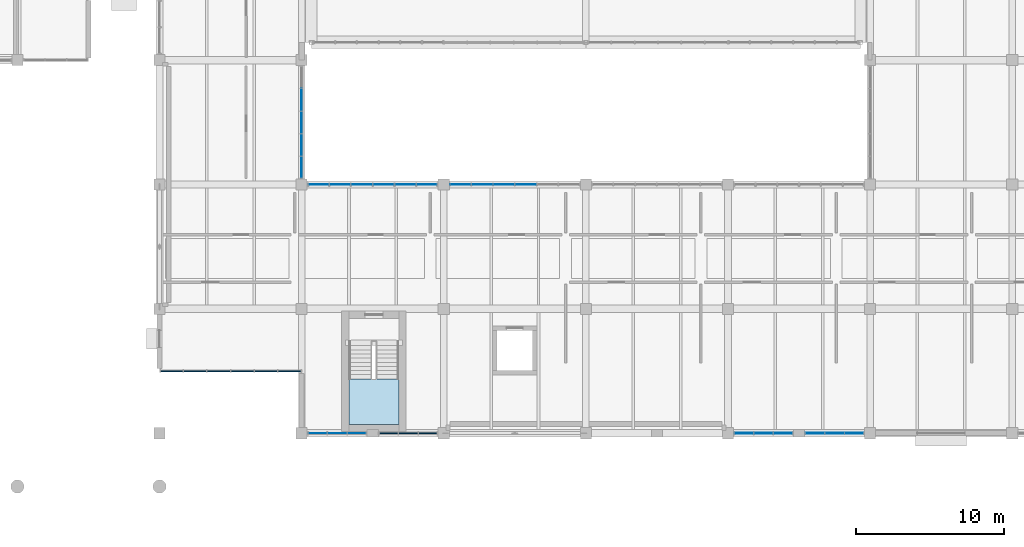
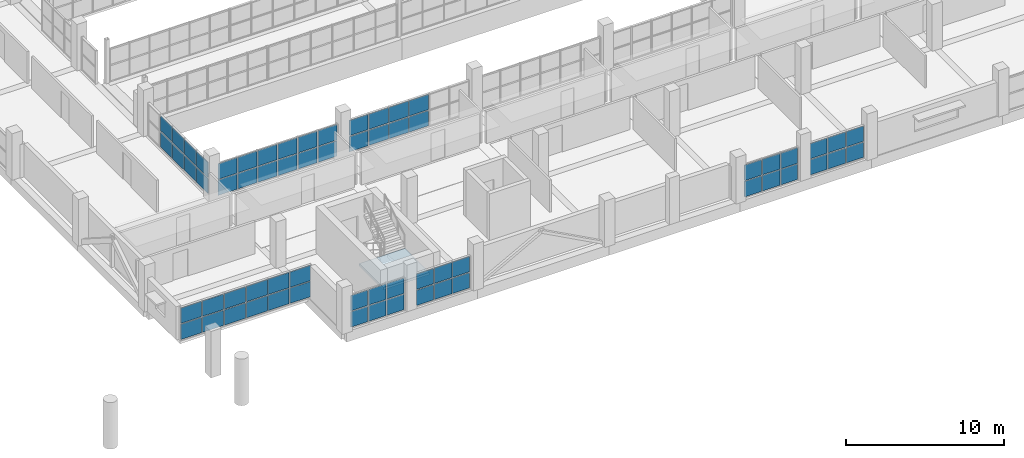
# One storey, part 98 of 147: 64 plates, 1 slab, 9 elements without a shape of their own.
"""IFC4 building model written with IfcOpenShell, lengths in metres."""

import ifcopenshell
import ifcopenshell.guid

model = None  # the IFC model being written
_history = None  # IfcOwnerHistory: only IFC2X3 demands one
_inside = {}  # id of a spatial element -> (the spatial element, [elements in it])
_under = {}  # id of a project, library or spatial element -> (it, [spatial elements below it])
_declared = {}  # id of a project -> (the project, [libraries it declares])
_typed = {}  # id of a type object -> (the type object, [elements of that type])
_made_of = {}  # id of a material, layer set ... -> (it, [elements and type objects made of it])


def new_model(schema):
    """Start an empty IFC model of exactly this schema.

    Asked for "IFC4X3", IfcOpenShell would pick the latest addendum, in which some entities
    have other attributes; the version numbers below select the first issue.
    IFC2X3 requires an IfcOwnerHistory on every rooted entity: one is made here for all.
    """
    global model, _history
    if schema == "IFC4X3":
        model = ifcopenshell.file(schema_version=(4, 3, 0, 0))
    else:
        model = ifcopenshell.file(schema=schema)
    _inside.clear()
    _under.clear()
    _declared.clear()
    _typed.clear()
    _made_of.clear()
    _history = None
    if model.schema == "IFC2X3":
        org = make("IfcOrganization", Name="unknown")
        user = make(
            "IfcPersonAndOrganization",
            ThePerson=make("IfcPerson", FamilyName="unknown"),
            TheOrganization=org,
        )
        app = make(
            "IfcApplication",
            ApplicationDeveloper=org,
            Version="unknown",
            ApplicationFullName="unknown",
            ApplicationIdentifier="unknown",
        )
        _history = make(
            "IfcOwnerHistory",
            OwningUser=user,
            OwningApplication=app,
            ChangeAction="ADDED",
            CreationDate=0,
        )
    return model


def make(cls, **values):
    """One entity of the class cls with the attributes given. An attribute that is None is left unset."""
    return model.create_entity(
        cls, **{name: value for name, value in values.items() if value is not None}
    )


def rooted(cls, **values):
    """An entity with a GlobalId (a new one), such as an element, a storey or a relation."""
    return make(cls, GlobalId=ifcopenshell.guid.new(), OwnerHistory=_history, **values)


def si_unit(unit_type, name, prefix=None):
    """IfcSIUnit, for example si_unit("LENGTHUNIT", "METRE", prefix="MILLI")."""
    return make("IfcSIUnit", UnitType=unit_type, Prefix=prefix, Name=name)


def assignment(units):
    """IfcUnitAssignment: the units of a project."""
    return None if units is None else make("IfcUnitAssignment", Units=units)


def point(xyz):
    """IfcCartesianPoint."""
    return None if xyz is None else make("IfcCartesianPoint", Coordinates=xyz)


def direction(xyz):
    """IfcDirection."""
    return None if xyz is None else make("IfcDirection", DirectionRatios=xyz)


def frame(location, z_axis=None, x_axis=None):
    """IfcAxis2Placement3D, a coordinate frame: its origin and axes. An axis left out is left unset."""
    return make(
        "IfcAxis2Placement3D",
        Location=point(location),
        Axis=direction(z_axis),
        RefDirection=direction(x_axis),
    )


def frame_2d(location, x_axis=None):
    """IfcAxis2Placement2D, a coordinate frame in the plane: its origin and x axis."""
    return make(
        "IfcAxis2Placement2D", Location=point(location), RefDirection=direction(x_axis)
    )


def origin():
    """The frame at (0, 0, 0) with its axes left unset."""
    return frame((0.0, 0.0, 0.0))


def origin_2d():
    """The frame at (0, 0) in the plane with its x axis left unset."""
    return frame_2d((0.0, 0.0))


def place(relative_to, where):
    """IfcLocalPlacement: puts the frame where relative to a parent placement (None: the world)."""
    return make(
        "IfcLocalPlacement", PlacementRelTo=relative_to, RelativePlacement=where
    )


def context(
    kind, dimensions, precision=None, world=None, true_north=None, identifier=None
):
    """IfcGeometricRepresentationContext, for example the 3D "Model" context."""
    return make(
        "IfcGeometricRepresentationContext",
        ContextIdentifier=identifier,
        ContextType=kind,
        CoordinateSpaceDimension=dimensions,
        Precision=precision,
        WorldCoordinateSystem=world,
        TrueNorth=true_north,
    )


def subcontext(parent, identifier, kind, view, scale=None):
    """IfcGeometricRepresentationSubContext, for example "Body" below "Model"."""
    return make(
        "IfcGeometricRepresentationSubContext",
        ContextIdentifier=identifier,
        ContextType=kind,
        ParentContext=parent,
        TargetScale=scale,
        TargetView=view,
    )


def project(units=None, contexts=None):
    """IfcProject with its units and contexts."""
    return rooted(
        "IfcProject",
        Name="project",
        RepresentationContexts=contexts,
        UnitsInContext=assignment(units),
    )


def spatial(cls, under=None, at=None, **own):
    """A site, building, storey or space (cls), placed at a placement, below another one or the project."""
    s = rooted(cls, ObjectPlacement=at, **own)
    if under is not None:
        _under.setdefault(under.id(), (under, []))[1].append(s)
    return s


def polyline(points):
    """IfcPolyline through the points."""
    return make("IfcPolyline", Points=[point(p) for p in points])


def profile(cls, at=None, kind="AREA", **sizes):
    """A parametric profile (cls). Its sizes go by their IFC names, for example OverallWidth=200.0."""
    return make(cls, ProfileType=kind, Position=at, **sizes)


def rectangle(**sizes):
    """IfcRectangleProfileDef."""
    return profile("IfcRectangleProfileDef", **sizes)


def outline(outer, holes=None, kind="AREA"):
    """IfcArbitraryClosedProfileDef: a profile drawn as a closed curve; with holes, ...WithVoids."""
    if holes is None:
        return make("IfcArbitraryClosedProfileDef", ProfileType=kind, OuterCurve=outer)
    return make(
        "IfcArbitraryProfileDefWithVoids",
        ProfileType=kind,
        OuterCurve=outer,
        InnerCurves=holes,
    )


def extrude(swept, where, along, depth):
    """IfcExtrudedAreaSolid: the profile swept, set in the frame where, extruded along a direction by depth."""
    return make(
        "IfcExtrudedAreaSolid",
        SweptArea=swept,
        Position=where,
        ExtrudedDirection=direction(along),
        Depth=depth,
    )


def shape(context_of_items, identifier, shape_type, items):
    """IfcShapeRepresentation: the items that make up one representation, for example the "Body"."""
    return make(
        "IfcShapeRepresentation",
        ContextOfItems=context_of_items,
        RepresentationIdentifier=identifier,
        RepresentationType=shape_type,
        Items=items,
    )


def material(Name=None, Category=None):
    """IfcMaterial."""
    return make("IfcMaterial", Name=Name, Category=Category)


def layer(
    of_material, thickness, ventilated=None, Name=None, Category=None, Priority=None
):
    """IfcMaterialLayer: one layer of a wall or slab, of a material (None: an air gap)."""
    return make(
        "IfcMaterialLayer",
        Material=of_material,
        LayerThickness=thickness,
        IsVentilated=ventilated,
        Name=Name,
        Category=Category,
        Priority=Priority,
    )


def layer_set(layers, Name=None):
    """IfcMaterialLayerSet."""
    return make("IfcMaterialLayerSet", MaterialLayers=layers, LayerSetName=Name)


def made_of(thing, what):
    """Note that an element or type object is made of a material, layer set ...; save() writes the relation."""
    if what is not None:
        _made_of.setdefault(what.id(), (what, []))[1].append(thing)
    return thing


def type_object(cls, material=None, **own):
    """A type object (cls), such as IfcWallType, which elements share."""
    return made_of(rooted(cls, **own), material)


def element(
    cls,
    number,
    at=None,
    inside=None,
    cuts=None,
    type_object=None,
    material=None,
    context=None,
    identifier="Body",
    shape_type=None,
    held_by="IfcProductDefinitionShape",
    body=None,
    shapes=None,
    **own,
):
    """One element of the class cls, such as IfcWall. Its Tag is "e" and its number.

    at: its placement. inside: the storey or other place that contains it. cuts: it is an
    opening in that element (IfcRelVoidsElement). A single representation is given by context,
    identifier, shape_type and body (its items); several are given by shapes. held_by: the class
    of the entity that holds the representations. save() writes the other relations.
    """
    e = rooted(cls, Tag="e%d" % number, ObjectPlacement=at, **own)
    if body is not None:
        shapes = [shape(context, identifier, shape_type, body)]
    if shapes is not None:
        e.Representation = make(held_by, Representations=shapes)
    if inside is not None:
        _inside.setdefault(inside.id(), (inside, []))[1].append(e)
    if cuts is not None:
        rooted(
            "IfcRelVoidsElement", RelatingBuildingElement=cuts, RelatedOpeningElement=e
        )
    if type_object is not None:
        _typed.setdefault(type_object.id(), (type_object, []))[1].append(e)
    return made_of(e, material)


def aggregate(whole, parts):
    """IfcRelAggregates: a whole, such as a stair, and the parts it consists of."""
    return rooted("IfcRelAggregates", RelatingObject=whole, RelatedObjects=parts)


def save(model, path):
    """Write the relations noted so far, then the file.

    IfcRelAggregates (storeys below a building ...), IfcRelContainedInSpatialStructure (elements
    in a storey), IfcRelDefinesByType, IfcRelAssociatesMaterial and IfcRelDeclares: one each for
    every whole, place, type object, material and project.
    """
    for whole, parts in _under.values():
        aggregate(whole, parts)
    for where, things in _inside.values():
        rooted(
            "IfcRelContainedInSpatialStructure",
            RelatedElements=things,
            RelatingStructure=where,
        )
    for kind, things in _typed.values():
        rooted("IfcRelDefinesByType", RelatedObjects=things, RelatingType=kind)
    for what, things in _made_of.values():
        rooted("IfcRelAssociatesMaterial", RelatedObjects=things, RelatingMaterial=what)
    for by, libraries in _declared.values():
        rooted("IfcRelDeclares", RelatingContext=by, RelatedDefinitions=libraries)
    model.write(path)


model = new_model("IFC4")

# Units and contexts
model_context = context("Model", 3, precision=1e-05, world=origin(), true_north=direction((0.0, 1.0)))
body_context = subcontext(model_context, "Body", "Model", "MODEL_VIEW")
ifc_project = project(units=[si_unit("LENGTHUNIT", "METRE"), si_unit("AREAUNIT", "SQUARE_METRE"), si_unit("VOLUMEUNIT", "CUBIC_METRE"), si_unit("PLANEANGLEUNIT", "RADIAN"), si_unit("MASSUNIT", "GRAM", prefix="KILO")], contexts=[model_context])

# Site, building, storey
site_placement = place(None, origin())
site = spatial("IfcSite", under=ifc_project, at=site_placement, CompositionType="ELEMENT")
building_placement = place(site_placement, origin())
building = spatial("IfcBuilding", under=site, at=building_placement, Name="Oolite Switchyard Hospital", CompositionType="ELEMENT")
storey_placement = place(building_placement, frame((0.0, 0.0, 9.89990234375)))
storey = spatial("IfcBuildingStorey", under=building, at=storey_placement, Name="L02", CompositionType="ELEMENT", Elevation=9.89990234375)

# Curtain wall, plates
ifc_material_1 = material(Name="Thermally broken aluminum frame with laminated impact glazing", Category="aluminium")
curtain_wall_type_1 = type_object("IfcCurtainWallType", Name="CW-UNIT-84X36", PredefinedType="USERDEFINED", material=ifc_material_1)
curtain_wall_1_placement = place(storey_placement, origin())
curtain_wall_1 = element("IfcCurtainWall", 1, at=curtain_wall_1_placement, inside=storey, type_object=curtain_wall_type_1, Name="L02 Unitised Curtain Wall 212", ObjectType="UNITISED", PredefinedType="USERDEFINED")
ifc_material_2 = material(Name="Insulated fluoropolymer-coated aluminum spandrel panel", Category="aluminium")
ifc_layer_1 = layer(ifc_material_2, 0.054931640625)
ifc_layer_set_1 = layer_set([ifc_layer_1], Name="CW-PNL-SPN55")
plate_type_1 = type_object("IfcPlateType", Name="CW-PNL-SPN55", PredefinedType="CURTAIN_PANEL", material=ifc_layer_set_1)
plate_1_placement = place(storey_placement, frame((176.5224609375, 8.39990234375, 0.06005859375), z_axis=(0.0, 0.0, 1.0), x_axis=(-1.0, 0.0, 0.0)))
plate_1 = element("IfcPlate", 2, at=plate_1_placement, type_object=plate_type_1, Name="CW-08 panel 1.1", PredefinedType="CURTAIN_PANEL", context=body_context, shape_type="SweptSolid", body=[
    extrude(rectangle(XDim=1.235107421875, YDim=0.054931640625, at=origin_2d()), origin(), (0.0, 0.0, 1.0), 1.195068359375),
])
plate_2_placement = place(storey_placement, frame((176.5224609375, 8.39990234375, 1.31494140625), z_axis=(0.0, 0.0, 1.0), x_axis=(-1.0, 0.0, 0.0)))
plate_2 = element("IfcPlate", 3, at=plate_2_placement, type_object=plate_type_1, Name="CW-08 panel 1.2", PredefinedType="CURTAIN_PANEL", context=body_context, shape_type="SweptSolid", body=[
    extrude(rectangle(XDim=1.235107421875, YDim=0.054931640625, at=origin_2d()), origin(), (0.0, 0.0, 1.0), 1.195068359375),
])
plate_3_placement = place(storey_placement, frame((175.199951171875, 8.39990234375, 0.06005859375), z_axis=(0.0, 0.0, 1.0), x_axis=(-1.0, 0.0, 0.0)))
plate_3 = element("IfcPlate", 4, at=plate_3_placement, type_object=plate_type_1, Name="CW-08 panel 2.1", PredefinedType="CURTAIN_PANEL", context=body_context, shape_type="SweptSolid", body=[
    extrude(rectangle(XDim=1.27001953125, YDim=0.054931640625, at=origin_2d()), origin(), (0.0, 0.0, 1.0), 1.195068359375),
])
plate_4_placement = place(storey_placement, frame((175.199951171875, 8.39990234375, 1.31494140625), z_axis=(0.0, 0.0, 1.0), x_axis=(-1.0, 0.0, 0.0)))
plate_4 = element("IfcPlate", 5, at=plate_4_placement, type_object=plate_type_1, Name="CW-08 panel 2.2", PredefinedType="CURTAIN_PANEL", context=body_context, shape_type="SweptSolid", body=[
    extrude(rectangle(XDim=1.27001953125, YDim=0.054931640625, at=origin_2d()), origin(), (0.0, 0.0, 1.0), 1.195068359375),
])
plate_5_placement = place(storey_placement, frame((173.87744140625, 8.39990234375, 0.06005859375), z_axis=(0.0, 0.0, 1.0), x_axis=(-1.0, 0.0, 0.0)))
plate_5 = element("IfcPlate", 6, at=plate_5_placement, type_object=plate_type_1, Name="CW-08 panel 3.1", PredefinedType="CURTAIN_PANEL", context=body_context, shape_type="SweptSolid", body=[
    extrude(rectangle(XDim=1.235107421875, YDim=0.054931640625, at=origin_2d()), origin(), (0.0, 0.0, 1.0), 1.195068359375),
])
plate_6_placement = place(storey_placement, frame((173.87744140625, 8.39990234375, 1.31494140625), z_axis=(0.0, 0.0, 1.0), x_axis=(-1.0, 0.0, 0.0)))
plate_6 = element("IfcPlate", 7, at=plate_6_placement, type_object=plate_type_1, Name="CW-08 panel 3.2", PredefinedType="CURTAIN_PANEL", context=body_context, shape_type="SweptSolid", body=[
    extrude(rectangle(XDim=1.235107421875, YDim=0.054931640625, at=origin_2d()), origin(), (0.0, 0.0, 1.0), 1.195068359375),
])
aggregate(curtain_wall_1, [plate_1, plate_2, plate_3, plate_4, plate_5, plate_6])

curtain_wall_2_placement = place(storey_placement, origin())
curtain_wall_2 = element("IfcCurtainWall", 8, at=curtain_wall_2_placement, inside=storey, type_object=curtain_wall_type_1, Name="L02 Unitised Curtain Wall 209", ObjectType="UNITISED", PredefinedType="USERDEFINED")
ifc_layer_2 = layer(ifc_material_2, 0.070068359375)
ifc_layer_set_2 = layer_set([ifc_layer_2], Name="CW-PNL-SPN70")
plate_type_2 = type_object("IfcPlateType", Name="CW-PNL-SPN70", PredefinedType="CURTAIN_PANEL", material=ifc_layer_set_2)
plate_7_placement = place(storey_placement, frame((152.5224609375, 8.39990234375, 0.0751953125), z_axis=(0.0, 0.0, 1.0), x_axis=(-1.0, 0.0, 0.0)))
plate_7 = element("IfcPlate", 9, at=plate_7_placement, type_object=plate_type_2, Name="CW-08 panel 1.1", PredefinedType="CURTAIN_PANEL", context=body_context, shape_type="SweptSolid", body=[
    extrude(rectangle(XDim=1.235107421875, YDim=0.070068359375, at=origin_2d()), origin(), (0.0, 0.0, 1.0), 1.172607421875),
])
plate_8_placement = place(storey_placement, frame((152.5224609375, 8.39990234375, 1.32275390625), z_axis=(0.0, 0.0, 1.0), x_axis=(-1.0, 0.0, 0.0)))
plate_8 = element("IfcPlate", 10, at=plate_8_placement, type_object=plate_type_2, Name="CW-08 panel 1.2", PredefinedType="CURTAIN_PANEL", context=body_context, shape_type="SweptSolid", body=[
    extrude(rectangle(XDim=1.235107421875, YDim=0.070068359375, at=origin_2d()), origin(), (0.0, 0.0, 1.0), 1.172607421875),
])
plate_9_placement = place(storey_placement, frame((151.199951171875, 8.39990234375, 0.0751953125), z_axis=(0.0, 0.0, 1.0), x_axis=(-1.0, 0.0, 0.0)))
plate_9 = element("IfcPlate", 11, at=plate_9_placement, type_object=plate_type_2, Name="CW-08 panel 2.1", PredefinedType="CURTAIN_PANEL", context=body_context, shape_type="SweptSolid", body=[
    extrude(rectangle(XDim=1.27001953125, YDim=0.070068359375, at=origin_2d()), origin(), (0.0, 0.0, 1.0), 1.172607421875),
])
plate_10_placement = place(storey_placement, frame((151.199951171875, 8.39990234375, 1.32275390625), z_axis=(0.0, 0.0, 1.0), x_axis=(-1.0, 0.0, 0.0)))
plate_10 = element("IfcPlate", 12, at=plate_10_placement, type_object=plate_type_2, Name="CW-08 panel 2.2", PredefinedType="CURTAIN_PANEL", context=body_context, shape_type="SweptSolid", body=[
    extrude(rectangle(XDim=1.27001953125, YDim=0.070068359375, at=origin_2d()), origin(), (0.0, 0.0, 1.0), 1.172607421875),
])
plate_11_placement = place(storey_placement, frame((149.87744140625, 8.39990234375, 0.0751953125), z_axis=(0.0, 0.0, 1.0), x_axis=(-1.0, 0.0, 0.0)))
plate_11 = element("IfcPlate", 13, at=plate_11_placement, type_object=plate_type_2, Name="CW-08 panel 3.1", PredefinedType="CURTAIN_PANEL", context=body_context, shape_type="SweptSolid", body=[
    extrude(rectangle(XDim=1.235107421875, YDim=0.070068359375, at=origin_2d()), origin(), (0.0, 0.0, 1.0), 1.172607421875),
])
plate_12_placement = place(storey_placement, frame((149.87744140625, 8.39990234375, 1.32275390625), z_axis=(0.0, 0.0, 1.0), x_axis=(-1.0, 0.0, 0.0)))
plate_12 = element("IfcPlate", 14, at=plate_12_placement, type_object=plate_type_2, Name="CW-08 panel 3.2", PredefinedType="CURTAIN_PANEL", context=body_context, shape_type="SweptSolid", body=[
    extrude(rectangle(XDim=1.235107421875, YDim=0.070068359375, at=origin_2d()), origin(), (0.0, 0.0, 1.0), 1.172607421875),
])
aggregate(curtain_wall_2, [plate_7, plate_8, plate_9, plate_10, plate_11, plate_12])

curtain_wall_type_2 = type_object("IfcCurtainWallType", Name="CW-UNIT-96X36", PredefinedType="USERDEFINED", material=ifc_material_1)
curtain_wall_3_placement = place(storey_placement, origin())
curtain_wall_3 = element("IfcCurtainWall", 15, at=curtain_wall_3_placement, inside=storey, type_object=curtain_wall_type_2, Name="L02 Unitised Curtain Wall 215", ObjectType="UNITISED", PredefinedType="USERDEFINED")
plate_13_placement = place(storey_placement, frame((143.1826171875, 12.60009765625, 0.0751953125), z_axis=(0.0, 0.0, 1.0), x_axis=(-1.0, 0.0, 0.0)))
plate_13 = element("IfcPlate", 16, at=plate_13_placement, type_object=plate_type_2, Name="CW-03 panel 1.1", PredefinedType="CURTAIN_PANEL", context=body_context, shape_type="SweptSolid", body=[
    extrude(rectangle(XDim=1.4951171875, YDim=0.070068359375, at=origin_2d()), origin(), (0.0, 0.0, 1.0), 1.172607421875),
])
plate_14_placement = place(storey_placement, frame((143.1826171875, 12.60009765625, 1.32275390625), z_axis=(0.0, 0.0, 1.0), x_axis=(-1.0, 0.0, 0.0)))
plate_14 = element("IfcPlate", 17, at=plate_14_placement, type_object=plate_type_2, Name="CW-03 panel 1.2", PredefinedType="CURTAIN_PANEL", context=body_context, shape_type="SweptSolid", body=[
    extrude(rectangle(XDim=1.4951171875, YDim=0.070068359375, at=origin_2d()), origin(), (0.0, 0.0, 1.0), 1.172607421875),
])
plate_15_placement = place(storey_placement, frame((141.60009765625, 12.60009765625, 0.0751953125), z_axis=(0.0, 0.0, 1.0), x_axis=(-1.0, 0.0, 0.0)))
plate_15 = element("IfcPlate", 18, at=plate_15_placement, type_object=plate_type_2, Name="CW-03 panel 2.1", PredefinedType="CURTAIN_PANEL", context=body_context, shape_type="SweptSolid", body=[
    extrude(rectangle(XDim=1.530029296875, YDim=0.070068359375, at=origin_2d()), origin(), (0.0, 0.0, 1.0), 1.172607421875),
])
plate_16_placement = place(storey_placement, frame((141.60009765625, 12.60009765625, 1.32275390625), z_axis=(0.0, 0.0, 1.0), x_axis=(-1.0, 0.0, 0.0)))
plate_16 = element("IfcPlate", 19, at=plate_16_placement, type_object=plate_type_2, Name="CW-03 panel 2.2", PredefinedType="CURTAIN_PANEL", context=body_context, shape_type="SweptSolid", body=[
    extrude(rectangle(XDim=1.530029296875, YDim=0.070068359375, at=origin_2d()), origin(), (0.0, 0.0, 1.0), 1.172607421875),
])
plate_17_placement = place(storey_placement, frame((140.0, 12.60009765625, 0.0751953125), z_axis=(0.0, 0.0, 1.0), x_axis=(-1.0, 0.0, 0.0)))
plate_17 = element("IfcPlate", 20, at=plate_17_placement, type_object=plate_type_2, Name="CW-03 panel 3.1", PredefinedType="CURTAIN_PANEL", context=body_context, shape_type="SweptSolid", body=[
    extrude(rectangle(XDim=1.530029296875, YDim=0.070068359375, at=origin_2d()), origin(), (0.0, 0.0, 1.0), 1.172607421875),
])
plate_18_placement = place(storey_placement, frame((140.0, 12.60009765625, 1.32275390625), z_axis=(0.0, 0.0, 1.0), x_axis=(-1.0, 0.0, 0.0)))
plate_18 = element("IfcPlate", 21, at=plate_18_placement, type_object=plate_type_2, Name="CW-03 panel 3.2", PredefinedType="CURTAIN_PANEL", context=body_context, shape_type="SweptSolid", body=[
    extrude(rectangle(XDim=1.530029296875, YDim=0.070068359375, at=origin_2d()), origin(), (0.0, 0.0, 1.0), 1.172607421875),
])
plate_19_placement = place(storey_placement, frame((138.39990234375, 12.60009765625, 0.0751953125), z_axis=(0.0, 0.0, 1.0), x_axis=(-1.0, 0.0, 0.0)))
plate_19 = element("IfcPlate", 22, at=plate_19_placement, type_object=plate_type_2, Name="CW-03 panel 4.1", PredefinedType="CURTAIN_PANEL", context=body_context, shape_type="SweptSolid", body=[
    extrude(rectangle(XDim=1.530029296875, YDim=0.070068359375, at=origin_2d()), origin(), (0.0, 0.0, 1.0), 1.172607421875),
])
plate_20_placement = place(storey_placement, frame((138.39990234375, 12.60009765625, 1.32275390625), z_axis=(0.0, 0.0, 1.0), x_axis=(-1.0, 0.0, 0.0)))
plate_20 = element("IfcPlate", 23, at=plate_20_placement, type_object=plate_type_2, Name="CW-03 panel 4.2", PredefinedType="CURTAIN_PANEL", context=body_context, shape_type="SweptSolid", body=[
    extrude(rectangle(XDim=1.530029296875, YDim=0.070068359375, at=origin_2d()), origin(), (0.0, 0.0, 1.0), 1.172607421875),
])
plate_21_placement = place(storey_placement, frame((136.800048828125, 12.60009765625, 0.0751953125), z_axis=(0.0, 0.0, 1.0), x_axis=(-1.0, 0.0, 0.0)))
plate_21 = element("IfcPlate", 24, at=plate_21_placement, type_object=plate_type_2, Name="CW-03 panel 5.1", PredefinedType="CURTAIN_PANEL", context=body_context, shape_type="SweptSolid", body=[
    extrude(rectangle(XDim=1.530029296875, YDim=0.070068359375, at=origin_2d()), origin(), (0.0, 0.0, 1.0), 1.172607421875),
])
plate_22_placement = place(storey_placement, frame((136.800048828125, 12.60009765625, 1.32275390625), z_axis=(0.0, 0.0, 1.0), x_axis=(-1.0, 0.0, 0.0)))
plate_22 = element("IfcPlate", 25, at=plate_22_placement, type_object=plate_type_2, Name="CW-03 panel 5.2", PredefinedType="CURTAIN_PANEL", context=body_context, shape_type="SweptSolid", body=[
    extrude(rectangle(XDim=1.530029296875, YDim=0.070068359375, at=origin_2d()), origin(), (0.0, 0.0, 1.0), 1.172607421875),
])
plate_23_placement = place(storey_placement, frame((135.217529296875, 12.60009765625, 0.0751953125), z_axis=(0.0, 0.0, 1.0), x_axis=(-1.0, 0.0, 0.0)))
plate_23 = element("IfcPlate", 26, at=plate_23_placement, type_object=plate_type_2, Name="CW-03 panel 6.1", PredefinedType="CURTAIN_PANEL", context=body_context, shape_type="SweptSolid", body=[
    extrude(rectangle(XDim=1.4951171875, YDim=0.070068359375, at=origin_2d()), origin(), (0.0, 0.0, 1.0), 1.172607421875),
])
plate_24_placement = place(storey_placement, frame((135.217529296875, 12.60009765625, 1.32275390625), z_axis=(0.0, 0.0, 1.0), x_axis=(-1.0, 0.0, 0.0)))
plate_24 = element("IfcPlate", 27, at=plate_24_placement, type_object=plate_type_2, Name="CW-03 panel 6.2", PredefinedType="CURTAIN_PANEL", context=body_context, shape_type="SweptSolid", body=[
    extrude(rectangle(XDim=1.4951171875, YDim=0.070068359375, at=origin_2d()), origin(), (0.0, 0.0, 1.0), 1.172607421875),
])
aggregate(curtain_wall_3, [plate_13, plate_14, plate_15, plate_16, plate_17, plate_18, plate_19, plate_20, plate_21, plate_22, plate_23, plate_24])

curtain_wall_4_placement = place(storey_placement, origin())
curtain_wall_4 = element("IfcCurtainWall", 28, at=curtain_wall_4_placement, inside=storey, type_object=curtain_wall_type_1, Name="L02 Unitised Curtain Wall 210", ObjectType="UNITISED", PredefinedType="USERDEFINED")
ifc_material_3 = material(Name="Laminated hurricane-impact insulated glazing unit", Category="glass")
ifc_layer_3 = layer(ifc_material_3, 0.028076171875)
ifc_layer_set_3 = layer_set([ifc_layer_3], Name="CW-PNL-VIS28")
plate_type_3 = type_object("IfcPlateType", Name="CW-PNL-VIS28", PredefinedType="CURTAIN_PANEL", material=ifc_layer_set_3)
plate_25_placement = place(storey_placement, frame((147.72119140625, 8.39990234375, 0.06005859375), z_axis=(0.0, 0.0, 1.0), x_axis=(-1.0, 0.0, 0.0)))
plate_25 = element("IfcPlate", 29, at=plate_25_placement, type_object=plate_type_3, Name="CW-08 panel 1.1", PredefinedType="CURTAIN_PANEL", context=body_context, shape_type="SweptSolid", body=[
    extrude(rectangle(XDim=1.2275390625, YDim=0.028076171875, at=origin_2d()), origin(), (0.0, 0.0, 1.0), 1.195068359375),
])
plate_26_placement = place(storey_placement, frame((147.72119140625, 8.39990234375, 1.31494140625), z_axis=(0.0, 0.0, 1.0), x_axis=(-1.0, 0.0, 0.0)))
plate_26 = element("IfcPlate", 30, at=plate_26_placement, type_object=plate_type_3, Name="CW-08 panel 1.2", PredefinedType="CURTAIN_PANEL", context=body_context, shape_type="SweptSolid", body=[
    extrude(rectangle(XDim=1.2275390625, YDim=0.028076171875, at=origin_2d()), origin(), (0.0, 0.0, 1.0), 1.195068359375),
])
plate_27_placement = place(storey_placement, frame((146.39990234375, 8.39990234375, 0.06005859375), z_axis=(0.0, 0.0, 1.0), x_axis=(-1.0, 0.0, 0.0)))
plate_27 = element("IfcPlate", 31, at=plate_27_placement, type_object=plate_type_3, Name="CW-08 panel 2.1", PredefinedType="CURTAIN_PANEL", context=body_context, shape_type="SweptSolid", body=[
    extrude(rectangle(XDim=1.264892578125, YDim=0.028076171875, at=origin_2d()), origin(), (0.0, 0.0, 1.0), 1.195068359375),
])
plate_28_placement = place(storey_placement, frame((146.39990234375, 8.39990234375, 1.31494140625), z_axis=(0.0, 0.0, 1.0), x_axis=(-1.0, 0.0, 0.0)))
plate_28 = element("IfcPlate", 32, at=plate_28_placement, type_object=plate_type_3, Name="CW-08 panel 2.2", PredefinedType="CURTAIN_PANEL", context=body_context, shape_type="SweptSolid", body=[
    extrude(rectangle(XDim=1.264892578125, YDim=0.028076171875, at=origin_2d()), origin(), (0.0, 0.0, 1.0), 1.195068359375),
])
plate_29_placement = place(storey_placement, frame((145.078857421875, 8.39990234375, 0.06005859375), z_axis=(0.0, 0.0, 1.0), x_axis=(-1.0, 0.0, 0.0)))
plate_29 = element("IfcPlate", 33, at=plate_29_placement, type_object=plate_type_3, Name="CW-08 panel 3.1", PredefinedType="CURTAIN_PANEL", context=body_context, shape_type="SweptSolid", body=[
    extrude(rectangle(XDim=1.2275390625, YDim=0.028076171875, at=origin_2d()), origin(), (0.0, 0.0, 1.0), 1.195068359375),
])
plate_30_placement = place(storey_placement, frame((145.078857421875, 8.39990234375, 1.31494140625), z_axis=(0.0, 0.0, 1.0), x_axis=(-1.0, 0.0, 0.0)))
plate_30 = element("IfcPlate", 34, at=plate_30_placement, type_object=plate_type_3, Name="CW-08 panel 3.2", PredefinedType="CURTAIN_PANEL", context=body_context, shape_type="SweptSolid", body=[
    extrude(rectangle(XDim=1.2275390625, YDim=0.028076171875, at=origin_2d()), origin(), (0.0, 0.0, 1.0), 1.195068359375),
])
aggregate(curtain_wall_4, [plate_25, plate_26, plate_27, plate_28, plate_29, plate_30])

curtain_wall_5_placement = place(storey_placement, origin())
curtain_wall_5 = element("IfcCurtainWall", 35, at=curtain_wall_5_placement, inside=storey, type_object=curtain_wall_type_2, Name="L02 Unitised Curtain Wall 216", ObjectType="UNITISED", PredefinedType="USERDEFINED")
ifc_layer_4 = layer(ifc_material_3, 0.031982421875)
ifc_layer_set_4 = layer_set([ifc_layer_4], Name="CW-PNL-VIS32")
plate_type_4 = type_object("IfcPlateType", Name="CW-PNL-VIS32", PredefinedType="CURTAIN_PANEL", material=ifc_layer_set_4)
plate_31_placement = place(storey_placement, frame((145.143798828125, 25.199951171875, 0.06005859375), z_axis=(0.0, 0.0, 1.0), x_axis=(1.0, 0.0, 0.0)))
plate_31 = element("IfcPlate", 36, at=plate_31_placement, type_object=plate_type_4, Name="CW-03 panel 1.1", PredefinedType="CURTAIN_PANEL", context=body_context, shape_type="SweptSolid", body=[
    extrude(rectangle(XDim=1.357421875, YDim=0.031982421875, at=origin_2d()), origin(), (0.0, 0.0, 1.0), 1.195068359375),
])
plate_32_placement = place(storey_placement, frame((145.143798828125, 25.199951171875, 1.31494140625), z_axis=(0.0, 0.0, 1.0), x_axis=(1.0, 0.0, 0.0)))
plate_32 = element("IfcPlate", 37, at=plate_32_placement, type_object=plate_type_4, Name="CW-03 panel 1.2", PredefinedType="CURTAIN_PANEL", context=body_context, shape_type="SweptSolid", body=[
    extrude(rectangle(XDim=1.357421875, YDim=0.031982421875, at=origin_2d()), origin(), (0.0, 0.0, 1.0), 1.195068359375),
])
plate_33_placement = place(storey_placement, frame((146.594970703125, 25.199951171875, 0.06005859375), z_axis=(0.0, 0.0, 1.0), x_axis=(1.0, 0.0, 0.0)))
plate_33 = element("IfcPlate", 38, at=plate_33_placement, type_object=plate_type_4, Name="CW-03 panel 2.1", PredefinedType="CURTAIN_PANEL", context=body_context, shape_type="SweptSolid", body=[
    extrude(rectangle(XDim=1.39501953125, YDim=0.031982421875, at=origin_2d()), origin(), (0.0, 0.0, 1.0), 1.195068359375),
])
plate_34_placement = place(storey_placement, frame((146.594970703125, 25.199951171875, 1.31494140625), z_axis=(0.0, 0.0, 1.0), x_axis=(1.0, 0.0, 0.0)))
plate_34 = element("IfcPlate", 39, at=plate_34_placement, type_object=plate_type_4, Name="CW-03 panel 2.2", PredefinedType="CURTAIN_PANEL", context=body_context, shape_type="SweptSolid", body=[
    extrude(rectangle(XDim=1.39501953125, YDim=0.031982421875, at=origin_2d()), origin(), (0.0, 0.0, 1.0), 1.195068359375),
])
plate_35_placement = place(storey_placement, frame((148.06494140625, 25.199951171875, 0.06005859375), z_axis=(0.0, 0.0, 1.0), x_axis=(1.0, 0.0, 0.0)))
plate_35 = element("IfcPlate", 40, at=plate_35_placement, type_object=plate_type_4, Name="CW-03 panel 3.1", PredefinedType="CURTAIN_PANEL", context=body_context, shape_type="SweptSolid", body=[
    extrude(rectangle(XDim=1.39501953125, YDim=0.031982421875, at=origin_2d()), origin(), (0.0, 0.0, 1.0), 1.195068359375),
])
plate_36_placement = place(storey_placement, frame((148.06494140625, 25.199951171875, 1.31494140625), z_axis=(0.0, 0.0, 1.0), x_axis=(1.0, 0.0, 0.0)))
plate_36 = element("IfcPlate", 41, at=plate_36_placement, type_object=plate_type_4, Name="CW-03 panel 3.2", PredefinedType="CURTAIN_PANEL", context=body_context, shape_type="SweptSolid", body=[
    extrude(rectangle(XDim=1.39501953125, YDim=0.031982421875, at=origin_2d()), origin(), (0.0, 0.0, 1.0), 1.195068359375),
])
plate_37_placement = place(storey_placement, frame((149.534912109375, 25.199951171875, 0.06005859375), z_axis=(0.0, 0.0, 1.0), x_axis=(1.0, 0.0, 0.0)))
plate_37 = element("IfcPlate", 42, at=plate_37_placement, type_object=plate_type_4, Name="CW-03 panel 4.1", PredefinedType="CURTAIN_PANEL", context=body_context, shape_type="SweptSolid", body=[
    extrude(rectangle(XDim=1.39501953125, YDim=0.031982421875, at=origin_2d()), origin(), (0.0, 0.0, 1.0), 1.195068359375),
])
plate_38_placement = place(storey_placement, frame((149.534912109375, 25.199951171875, 1.31494140625), z_axis=(0.0, 0.0, 1.0), x_axis=(1.0, 0.0, 0.0)))
plate_38 = element("IfcPlate", 43, at=plate_38_placement, type_object=plate_type_4, Name="CW-03 panel 4.2", PredefinedType="CURTAIN_PANEL", context=body_context, shape_type="SweptSolid", body=[
    extrude(rectangle(XDim=1.39501953125, YDim=0.031982421875, at=origin_2d()), origin(), (0.0, 0.0, 1.0), 1.195068359375),
])
plate_39_placement = place(storey_placement, frame((151.0048828125, 25.199951171875, 0.06005859375), z_axis=(0.0, 0.0, 1.0), x_axis=(1.0, 0.0, 0.0)))
plate_39 = element("IfcPlate", 44, at=plate_39_placement, type_object=plate_type_4, Name="CW-03 panel 5.1", PredefinedType="CURTAIN_PANEL", context=body_context, shape_type="SweptSolid", body=[
    extrude(rectangle(XDim=1.39501953125, YDim=0.031982421875, at=origin_2d()), origin(), (0.0, 0.0, 1.0), 1.195068359375),
])
plate_40_placement = place(storey_placement, frame((151.0048828125, 25.199951171875, 1.31494140625), z_axis=(0.0, 0.0, 1.0), x_axis=(1.0, 0.0, 0.0)))
plate_40 = element("IfcPlate", 45, at=plate_40_placement, type_object=plate_type_4, Name="CW-03 panel 5.2", PredefinedType="CURTAIN_PANEL", context=body_context, shape_type="SweptSolid", body=[
    extrude(rectangle(XDim=1.39501953125, YDim=0.031982421875, at=origin_2d()), origin(), (0.0, 0.0, 1.0), 1.195068359375),
])
plate_41_placement = place(storey_placement, frame((152.456298828125, 25.199951171875, 0.06005859375), z_axis=(0.0, 0.0, 1.0), x_axis=(1.0, 0.0, 0.0)))
plate_41 = element("IfcPlate", 46, at=plate_41_placement, type_object=plate_type_4, Name="CW-03 panel 6.1", PredefinedType="CURTAIN_PANEL", context=body_context, shape_type="SweptSolid", body=[
    extrude(rectangle(XDim=1.357421875, YDim=0.031982421875, at=origin_2d()), origin(), (0.0, 0.0, 1.0), 1.195068359375),
])
plate_42_placement = place(storey_placement, frame((152.456298828125, 25.199951171875, 1.31494140625), z_axis=(0.0, 0.0, 1.0), x_axis=(1.0, 0.0, 0.0)))
plate_42 = element("IfcPlate", 47, at=plate_42_placement, type_object=plate_type_4, Name="CW-03 panel 6.2", PredefinedType="CURTAIN_PANEL", context=body_context, shape_type="SweptSolid", body=[
    extrude(rectangle(XDim=1.357421875, YDim=0.031982421875, at=origin_2d()), origin(), (0.0, 0.0, 1.0), 1.195068359375),
])
aggregate(curtain_wall_5, [plate_31, plate_32, plate_33, plate_34, plate_35, plate_36, plate_37, plate_38, plate_39, plate_40, plate_41, plate_42])

curtain_wall_6_placement = place(storey_placement, origin())
curtain_wall_6 = element("IfcCurtainWall", 48, at=curtain_wall_6_placement, inside=storey, type_object=curtain_wall_type_1, Name="L02 Unitised Curtain Wall 301", ObjectType="UNITISED", PredefinedType="USERDEFINED")
plate_43_placement = place(storey_placement, frame((144.0, 30.924072265625, 0.0751953125), z_axis=(0.0, 0.0, 1.0), x_axis=(0.0, -1.0, 0.0)))
plate_43 = element("IfcPlate", 49, at=plate_43_placement, type_object=plate_type_4, Name="CW-08 panel 2.1", PredefinedType="CURTAIN_PANEL", context=body_context, shape_type="SweptSolid", body=[
    extrude(rectangle(XDim=1.464111328125, YDim=0.031982421875, at=origin_2d()), origin(), (0.0, 0.0, 1.0), 1.172607421875),
])
plate_44_placement = place(storey_placement, frame((144.0, 30.924072265625, 1.32275390625), z_axis=(0.0, 0.0, 1.0), x_axis=(0.0, -1.0, 0.0)))
plate_44 = element("IfcPlate", 50, at=plate_44_placement, type_object=plate_type_4, Name="CW-08 panel 2.2", PredefinedType="CURTAIN_PANEL", context=body_context, shape_type="SweptSolid", body=[
    extrude(rectangle(XDim=1.464111328125, YDim=0.031982421875, at=origin_2d()), origin(), (0.0, 0.0, 1.0), 1.172607421875),
])
plate_45_placement = place(storey_placement, frame((144.0, 29.39990234375, 0.0751953125), z_axis=(0.0, 0.0, 1.0), x_axis=(0.0, -1.0, 0.0)))
plate_45 = element("IfcPlate", 51, at=plate_45_placement, type_object=plate_type_4, Name="CW-08 panel 3.1", PredefinedType="CURTAIN_PANEL", context=body_context, shape_type="SweptSolid", body=[
    extrude(rectangle(XDim=1.464111328125, YDim=0.031982421875, at=origin_2d()), origin(), (0.0, 0.0, 1.0), 1.172607421875),
])
plate_46_placement = place(storey_placement, frame((144.0, 29.39990234375, 1.32275390625), z_axis=(0.0, 0.0, 1.0), x_axis=(0.0, -1.0, 0.0)))
plate_46 = element("IfcPlate", 52, at=plate_46_placement, type_object=plate_type_4, Name="CW-08 panel 3.2", PredefinedType="CURTAIN_PANEL", context=body_context, shape_type="SweptSolid", body=[
    extrude(rectangle(XDim=1.464111328125, YDim=0.031982421875, at=origin_2d()), origin(), (0.0, 0.0, 1.0), 1.172607421875),
])
plate_47_placement = place(storey_placement, frame((144.0, 27.8759765625, 0.0751953125), z_axis=(0.0, 0.0, 1.0), x_axis=(0.0, -1.0, 0.0)))
plate_47 = element("IfcPlate", 53, at=plate_47_placement, type_object=plate_type_4, Name="CW-08 panel 4.1", PredefinedType="CURTAIN_PANEL", context=body_context, shape_type="SweptSolid", body=[
    extrude(rectangle(XDim=1.464111328125, YDim=0.031982421875, at=origin_2d()), origin(), (0.0, 0.0, 1.0), 1.172607421875),
])
plate_48_placement = place(storey_placement, frame((144.0, 27.8759765625, 1.32275390625), z_axis=(0.0, 0.0, 1.0), x_axis=(0.0, -1.0, 0.0)))
plate_48 = element("IfcPlate", 54, at=plate_48_placement, type_object=plate_type_4, Name="CW-08 panel 4.2", PredefinedType="CURTAIN_PANEL", context=body_context, shape_type="SweptSolid", body=[
    extrude(rectangle(XDim=1.464111328125, YDim=0.031982421875, at=origin_2d()), origin(), (0.0, 0.0, 1.0), 1.172607421875),
])
plate_49_placement = place(storey_placement, frame((144.0, 26.366943359375, 0.0751953125), z_axis=(0.0, 0.0, 1.0), x_axis=(0.0, -1.0, 0.0)))
plate_49 = element("IfcPlate", 55, at=plate_49_placement, type_object=plate_type_4, Name="CW-08 panel 5.1", PredefinedType="CURTAIN_PANEL", context=body_context, shape_type="SweptSolid", body=[
    extrude(rectangle(XDim=1.43408203125, YDim=0.031982421875, at=origin_2d()), origin(), (0.0, 0.0, 1.0), 1.172607421875),
])
plate_50_placement = place(storey_placement, frame((144.0, 26.366943359375, 1.32275390625), z_axis=(0.0, 0.0, 1.0), x_axis=(0.0, -1.0, 0.0)))
plate_50 = element("IfcPlate", 56, at=plate_50_placement, type_object=plate_type_4, Name="CW-08 panel 5.2", PredefinedType="CURTAIN_PANEL", context=body_context, shape_type="SweptSolid", body=[
    extrude(rectangle(XDim=1.43408203125, YDim=0.031982421875, at=origin_2d()), origin(), (0.0, 0.0, 1.0), 1.172607421875),
])
aggregate(curtain_wall_6, [plate_43, plate_44, plate_45, plate_46, plate_47, plate_48, plate_49, plate_50])

curtain_wall_7_placement = place(storey_placement, origin())
curtain_wall_7 = element("IfcCurtainWall", 57, at=curtain_wall_7_placement, inside=storey, type_object=curtain_wall_type_1, Name="L02 Unitised Curtain Wall 211", ObjectType="UNITISED", PredefinedType="USERDEFINED")
ifc_layer_5 = layer(ifc_material_3, 0.0419921875)
ifc_layer_set_5 = layer_set([ifc_layer_5], Name="CW-PNL-VIS42")
plate_type_5 = type_object("IfcPlateType", Name="CW-PNL-VIS42", PredefinedType="CURTAIN_PANEL", material=ifc_layer_set_5)
plate_51_placement = place(storey_placement, frame((181.324951171875, 8.39990234375, 0.0751953125), z_axis=(0.0, 0.0, 1.0), x_axis=(-1.0, 0.0, 0.0)))
plate_51 = element("IfcPlate", 58, at=plate_51_placement, type_object=plate_type_5, Name="CW-08 panel 1.1", PredefinedType="CURTAIN_PANEL", context=body_context, shape_type="SweptSolid", body=[
    extrude(rectangle(XDim=1.25, YDim=0.0419921875, at=origin_2d()), origin(), (0.0, 0.0, 1.0), 1.172607421875),
])
plate_52_placement = place(storey_placement, frame((181.324951171875, 8.39990234375, 1.32275390625), z_axis=(0.0, 0.0, 1.0), x_axis=(-1.0, 0.0, 0.0)))
plate_52 = element("IfcPlate", 59, at=plate_52_placement, type_object=plate_type_5, Name="CW-08 panel 1.2", PredefinedType="CURTAIN_PANEL", context=body_context, shape_type="SweptSolid", body=[
    extrude(rectangle(XDim=1.25, YDim=0.0419921875, at=origin_2d()), origin(), (0.0, 0.0, 1.0), 1.172607421875),
])
plate_53_placement = place(storey_placement, frame((180.0, 8.39990234375, 0.0751953125), z_axis=(0.0, 0.0, 1.0), x_axis=(-1.0, 0.0, 0.0)))
plate_53 = element("IfcPlate", 60, at=plate_53_placement, type_object=plate_type_5, Name="CW-08 panel 2.1", PredefinedType="CURTAIN_PANEL", context=body_context, shape_type="SweptSolid", body=[
    extrude(rectangle(XDim=1.280029296875, YDim=0.0419921875, at=origin_2d()), origin(), (0.0, 0.0, 1.0), 1.172607421875),
])
plate_54_placement = place(storey_placement, frame((180.0, 8.39990234375, 1.32275390625), z_axis=(0.0, 0.0, 1.0), x_axis=(-1.0, 0.0, 0.0)))
plate_54 = element("IfcPlate", 61, at=plate_54_placement, type_object=plate_type_5, Name="CW-08 panel 2.2", PredefinedType="CURTAIN_PANEL", context=body_context, shape_type="SweptSolid", body=[
    extrude(rectangle(XDim=1.280029296875, YDim=0.0419921875, at=origin_2d()), origin(), (0.0, 0.0, 1.0), 1.172607421875),
])
plate_55_placement = place(storey_placement, frame((178.675048828125, 8.39990234375, 0.0751953125), z_axis=(0.0, 0.0, 1.0), x_axis=(-1.0, 0.0, 0.0)))
plate_55 = element("IfcPlate", 62, at=plate_55_placement, type_object=plate_type_5, Name="CW-08 panel 3.1", PredefinedType="CURTAIN_PANEL", context=body_context, shape_type="SweptSolid", body=[
    extrude(rectangle(XDim=1.25, YDim=0.0419921875, at=origin_2d()), origin(), (0.0, 0.0, 1.0), 1.172607421875),
])
plate_56_placement = place(storey_placement, frame((178.675048828125, 8.39990234375, 1.32275390625), z_axis=(0.0, 0.0, 1.0), x_axis=(-1.0, 0.0, 0.0)))
plate_56 = element("IfcPlate", 63, at=plate_56_placement, type_object=plate_type_5, Name="CW-08 panel 3.2", PredefinedType="CURTAIN_PANEL", context=body_context, shape_type="SweptSolid", body=[
    extrude(rectangle(XDim=1.25, YDim=0.0419921875, at=origin_2d()), origin(), (0.0, 0.0, 1.0), 1.172607421875),
])
aggregate(curtain_wall_7, [plate_51, plate_52, plate_53, plate_54, plate_55, plate_56])

curtain_wall_8_placement = place(storey_placement, origin())
curtain_wall_8 = element("IfcCurtainWall", 64, at=curtain_wall_8_placement, inside=storey, type_object=curtain_wall_type_2, Name="L02 Unitised Curtain Wall 217", ObjectType="UNITISED", PredefinedType="USERDEFINED")
plate_57_placement = place(storey_placement, frame((154.739990234375, 25.199951171875, 0.0751953125), z_axis=(0.0, 0.0, 1.0), x_axis=(1.0, 0.0, 0.0)))
plate_57 = element("IfcPlate", 65, at=plate_57_placement, type_object=plate_type_5, Name="CW-03 panel 1.1", PredefinedType="CURTAIN_PANEL", context=body_context, shape_type="SweptSolid", body=[
    extrude(rectangle(XDim=1.3798828125, YDim=0.0419921875, at=origin_2d()), origin(), (0.0, 0.0, 1.0), 1.172607421875),
])
plate_58_placement = place(storey_placement, frame((154.739990234375, 25.199951171875, 1.32275390625), z_axis=(0.0, 0.0, 1.0), x_axis=(1.0, 0.0, 0.0)))
plate_58 = element("IfcPlate", 66, at=plate_58_placement, type_object=plate_type_5, Name="CW-03 panel 1.2", PredefinedType="CURTAIN_PANEL", context=body_context, shape_type="SweptSolid", body=[
    extrude(rectangle(XDim=1.3798828125, YDim=0.0419921875, at=origin_2d()), origin(), (0.0, 0.0, 1.0), 1.172607421875),
])
plate_59_placement = place(storey_placement, frame((156.195068359375, 25.199951171875, 0.0751953125), z_axis=(0.0, 0.0, 1.0), x_axis=(1.0, 0.0, 0.0)))
plate_59 = element("IfcPlate", 67, at=plate_59_placement, type_object=plate_type_5, Name="CW-03 panel 2.1", PredefinedType="CURTAIN_PANEL", context=body_context, shape_type="SweptSolid", body=[
    extrude(rectangle(XDim=1.409912109375, YDim=0.0419921875, at=origin_2d()), origin(), (0.0, 0.0, 1.0), 1.172607421875),
])
plate_60_placement = place(storey_placement, frame((156.195068359375, 25.199951171875, 1.32275390625), z_axis=(0.0, 0.0, 1.0), x_axis=(1.0, 0.0, 0.0)))
plate_60 = element("IfcPlate", 68, at=plate_60_placement, type_object=plate_type_5, Name="CW-03 panel 2.2", PredefinedType="CURTAIN_PANEL", context=body_context, shape_type="SweptSolid", body=[
    extrude(rectangle(XDim=1.409912109375, YDim=0.0419921875, at=origin_2d()), origin(), (0.0, 0.0, 1.0), 1.172607421875),
])
plate_61_placement = place(storey_placement, frame((157.6650390625, 25.199951171875, 0.0751953125), z_axis=(0.0, 0.0, 1.0), x_axis=(1.0, 0.0, 0.0)))
plate_61 = element("IfcPlate", 69, at=plate_61_placement, type_object=plate_type_5, Name="CW-03 panel 3.1", PredefinedType="CURTAIN_PANEL", context=body_context, shape_type="SweptSolid", body=[
    extrude(rectangle(XDim=1.409912109375, YDim=0.0419921875, at=origin_2d()), origin(), (0.0, 0.0, 1.0), 1.172607421875),
])
plate_62_placement = place(storey_placement, frame((157.6650390625, 25.199951171875, 1.32275390625), z_axis=(0.0, 0.0, 1.0), x_axis=(1.0, 0.0, 0.0)))
plate_62 = element("IfcPlate", 70, at=plate_62_placement, type_object=plate_type_5, Name="CW-03 panel 3.2", PredefinedType="CURTAIN_PANEL", context=body_context, shape_type="SweptSolid", body=[
    extrude(rectangle(XDim=1.409912109375, YDim=0.0419921875, at=origin_2d()), origin(), (0.0, 0.0, 1.0), 1.172607421875),
])
plate_63_placement = place(storey_placement, frame((159.135009765625, 25.199951171875, 0.0751953125), z_axis=(0.0, 0.0, 1.0), x_axis=(1.0, 0.0, 0.0)))
plate_63 = element("IfcPlate", 71, at=plate_63_placement, type_object=plate_type_5, Name="CW-03 panel 4.1", PredefinedType="CURTAIN_PANEL", context=body_context, shape_type="SweptSolid", body=[
    extrude(rectangle(XDim=1.409912109375, YDim=0.0419921875, at=origin_2d()), origin(), (0.0, 0.0, 1.0), 1.172607421875),
])
plate_64_placement = place(storey_placement, frame((159.135009765625, 25.199951171875, 1.32275390625), z_axis=(0.0, 0.0, 1.0), x_axis=(1.0, 0.0, 0.0)))
plate_64 = element("IfcPlate", 72, at=plate_64_placement, type_object=plate_type_5, Name="CW-03 panel 4.2", PredefinedType="CURTAIN_PANEL", context=body_context, shape_type="SweptSolid", body=[
    extrude(rectangle(XDim=1.409912109375, YDim=0.0419921875, at=origin_2d()), origin(), (0.0, 0.0, 1.0), 1.172607421875),
])
aggregate(curtain_wall_8, [plate_57, plate_58, plate_59, plate_60, plate_61, plate_62, plate_63, plate_64])

# Stair, slab
ifc_material_4 = material(Name="Concrete C40/50", Category="concrete")
stair_type = type_object("IfcStairType", Name="STR-DL-156-R20", PredefinedType="HALF_TURN_STAIR", material=ifc_material_4)
stair_placement = place(storey_placement, origin())
stair = element("IfcStair", 73, at=stair_placement, inside=storey, type_object=stair_type, Name="L02 Exit Stair ST-05", PredefinedType="HALF_TURN_STAIR")
ifc_layer_6 = layer(ifc_material_4, 0.199951171875)
ifc_layer_set_6 = layer_set([ifc_layer_6], Name="SLB-LND-200")
slab_type = type_object("IfcSlabType", Name="SLB-LND-200", PredefinedType="LANDING", material=ifc_layer_set_6)
slab_placement = place(storey_placement, frame((0.0, 0.0, 1.60009765625)))
slab = element("IfcSlab", 74, at=slab_placement, type_object=slab_type, Name="ST-05 landing 1", PredefinedType="LANDING", context=body_context, shape_type="SweptSolid", body=[
    extrude(outline(polyline([(147.199951171875, 12.070068359375), (147.199951171875, 9.0), (150.56005859375, 9.0), (150.56005859375, 12.070068359375), (147.199951171875, 12.070068359375)])), origin(), (0.0, 0.0, 1.0), 0.199951171875),
])
aggregate(stair, [slab])

save(model, "model.ifc")
